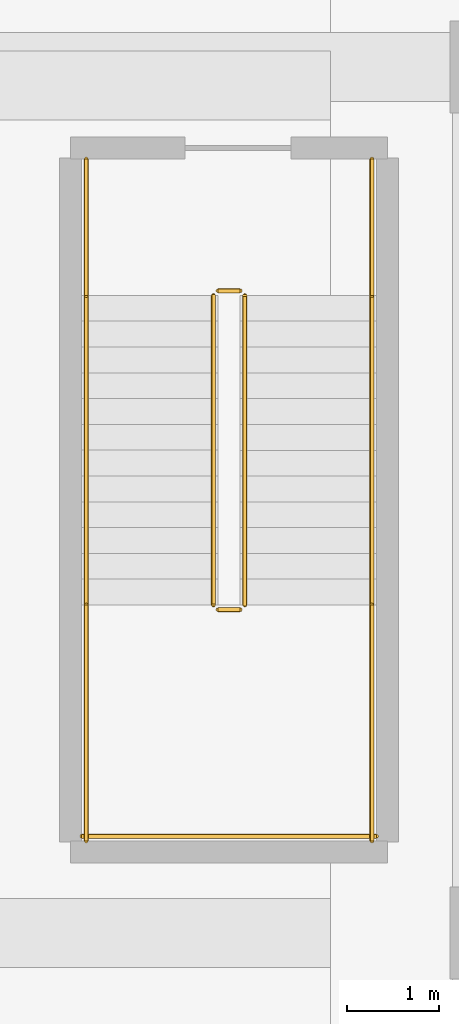
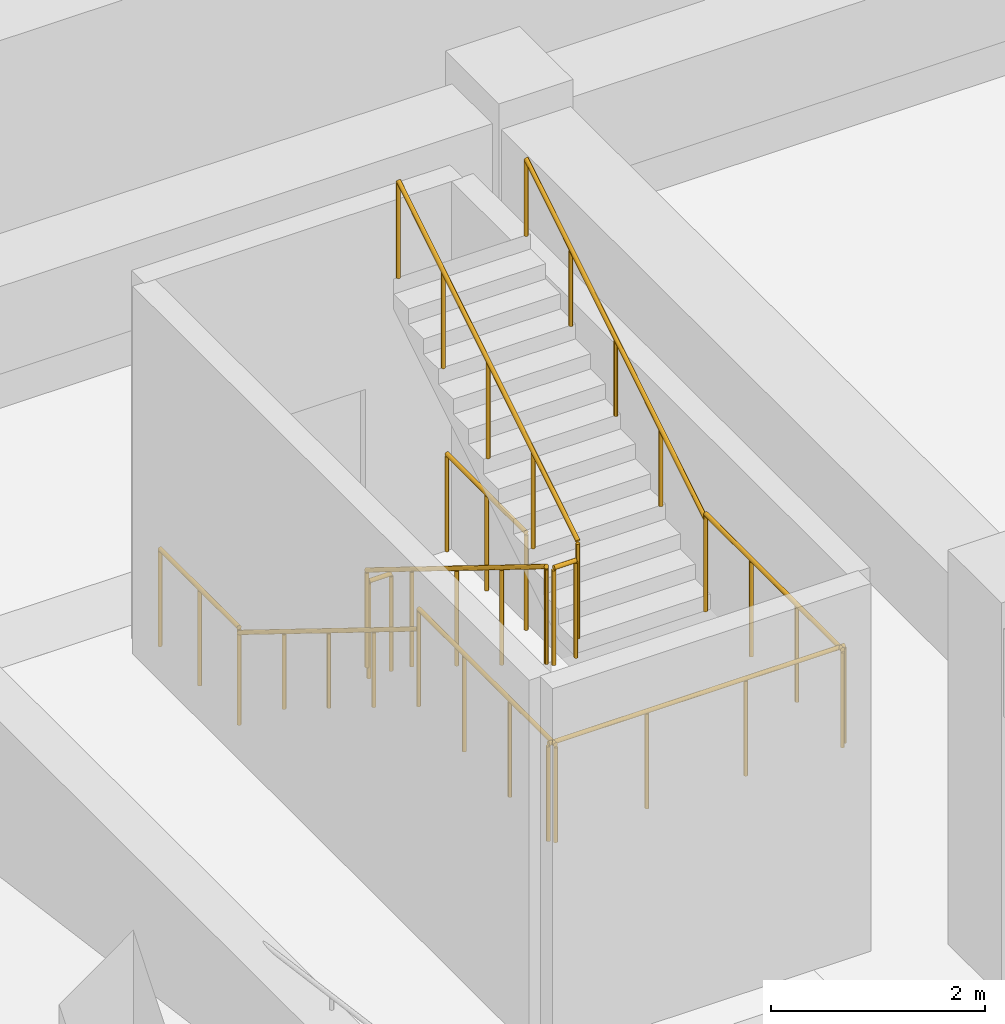
# One storey, part 8 of 10: 11 railings.
"""IFC4 building model written with IfcOpenShell, lengths in metres."""

from ifc_helpers import new_model, si_unit, direction, frame, origin, origin_2d, place, context, subcontext, project, spatial, circle, extrude, material, layer, layer_set, type_object, element, save


model = new_model("IFC4")

# Units and contexts
model_context = context("Model", 3, precision=1e-05, world=origin(), true_north=direction((0.0, 1.0)))
body_context = subcontext(model_context, "Body", "Model", "MODEL_VIEW")
ifc_project = project(units=[si_unit("LENGTHUNIT", "METRE"), si_unit("AREAUNIT", "SQUARE_METRE"), si_unit("VOLUMEUNIT", "CUBIC_METRE"), si_unit("PLANEANGLEUNIT", "RADIAN"), si_unit("MASSUNIT", "GRAM", prefix="KILO")], contexts=[model_context])

# Site, building, storey
site_placement = place(None, origin())
site = spatial("IfcSite", under=ifc_project, at=site_placement, CompositionType="ELEMENT")
building_placement = place(site_placement, origin())
building = spatial("IfcBuilding", under=site, at=building_placement, Name="Ndelora Gate Hotel", CompositionType="ELEMENT")
storey_placement = place(building_placement, frame((0.0, 0.0, -13.5)))
storey = spatial("IfcBuildingStorey", under=building, at=storey_placement, Name="B03", CompositionType="ELEMENT", Elevation=-13.5)

# Railings
ifc_material_1 = material(Name="Painted Galvanized Steel Balustrade", Category="steel")
ifc_layer_1 = layer(ifc_material_1, 0.06005859375)
ifc_layer_set_1 = layer_set([ifc_layer_1], Name="Painted Galvanized Steel Balustrade")
railing_type_1 = type_object("IfcRailingType", Name="RL-STAIR-GD", PredefinedType="GUARDRAIL", material=ifc_layer_set_1)
railing_1_placement = place(storey_placement, frame((-23.77001953125, 16.320068359375, 0.173095703125)))
element("IfcRailing", 1, at=railing_1_placement, inside=storey, type_object=railing_type_1, Name="B03 ST1 stair guard 1", PredefinedType="GUARDRAIL", context=body_context, shape_type="SweptSolid", body=[
    extrude(circle(Radius=0.02392578125, at=origin_2d()), frame((0.0, 0.0, 1.10595703125), z_axis=(0.0, -0.850623216509, 0.525775754039), x_axis=(1.0, 0.0, 0.0)), (0.0, 0.0, 1.0), 3.9501953125),
    extrude(circle(Radius=0.02099609375, at=origin_2d()), origin(), (0.0, 0.0, 1.0), 1.081787109375),
    extrude(circle(Radius=0.02099609375, at=origin_2d()), frame((0.0, -0.840087890625, 0.519287109375)), (0.0, 0.0, 1.0), 1.081787109375),
    extrude(circle(Radius=0.02099609375, at=origin_2d()), frame((0.0, -1.68017578125, 1.03857421875)), (0.0, 0.0, 1.0), 1.081787109375),
    extrude(circle(Radius=0.02099609375, at=origin_2d()), frame((0.0, -2.52001953125, 1.5576171875)), (0.0, 0.0, 1.0), 1.081787109375),
    extrude(circle(Radius=0.02099609375, at=origin_2d()), frame((0.0, -3.360107421875, 2.076904296875)), (0.0, 0.0, 1.0), 1.081787109375),
])
railing_2_placement = place(storey_placement, frame((-23.719970703125, 12.909912109375, 2.25)))
element("IfcRailing", 2, at=railing_2_placement, inside=storey, type_object=railing_type_1, Name="B03 ST1 stair guard 2", PredefinedType="GUARDRAIL", context=body_context, shape_type="SweptSolid", body=[
    extrude(circle(Radius=0.02392578125, at=origin_2d()), frame((0.0, 0.0, 1.10595703125), z_axis=(1.0, 0.0, 0.0), x_axis=(0.0, 1.0, 0.0)), (0.0, 0.0, 1.0), 0.239990234375),
    extrude(circle(Radius=0.02099609375, at=origin_2d()), origin(), (0.0, 0.0, 1.0), 1.081787109375),
    extrude(circle(Radius=0.02099609375, at=origin_2d()), frame((0.239990234375, 0.0, 0.0)), (0.0, 0.0, 1.0), 1.081787109375),
])
for number, where, name in (
    (3, (-25.14990234375, 12.9599609375, 2.25), "B03 ST1 stair guard 3"),
    (4, (-22.050048828125, 12.9599609375, 2.25), "B03 ST1 stair guard 4"),
):
    element("IfcRailing", number, at=place(storey_placement, frame(where)), inside=storey, type_object=railing_type_1, Name=name, PredefinedType="GUARDRAIL", context=body_context, shape_type="SweptSolid", body=[
        extrude(circle(Radius=0.02392578125, at=origin_2d()), frame((0.0, 0.0, 1.10595703125), z_axis=(0.0, -1.0, 0.0), x_axis=(1.0, 0.0, 0.0)), (0.0, 0.0, 1.0), 2.56005859375),
        extrude(circle(Radius=0.02099609375, at=origin_2d()), origin(), (0.0, 0.0, 1.0), 1.081787109375),
        extrude(circle(Radius=0.02099609375, at=origin_2d()), frame((0.0, -0.853271484375, 0.0)), (0.0, 0.0, 1.0), 1.081787109375),
        extrude(circle(Radius=0.02099609375, at=origin_2d()), frame((0.0, -1.706787109375, 0.0)), (0.0, 0.0, 1.0), 1.081787109375),
        extrude(circle(Radius=0.02099609375, at=origin_2d()), frame((0.0, -2.56005859375, 0.0)), (0.0, 0.0, 1.0), 1.081787109375),
    ])
railing_3_placement = place(storey_placement, frame((-25.199951171875, 10.449951171875, 2.25)))
element("IfcRailing", 5, at=railing_3_placement, inside=storey, type_object=railing_type_1, Name="B03 ST1 stair guard 5", PredefinedType="GUARDRAIL", context=body_context, shape_type="SweptSolid", body=[
    extrude(circle(Radius=0.02392578125, at=origin_2d()), frame((0.0, 0.0, 1.10595703125), z_axis=(1.0, 0.0, 0.0), x_axis=(0.0, 1.0, 0.0)), (0.0, 0.0, 1.0), 3.199951171875),
    extrude(circle(Radius=0.02099609375, at=origin_2d()), origin(), (0.0, 0.0, 1.0), 1.081787109375),
    extrude(circle(Radius=0.02099609375, at=origin_2d()), frame((1.066650390625, 0.0, 0.0)), (0.0, 0.0, 1.0), 1.081787109375),
    extrude(circle(Radius=0.02099609375, at=origin_2d()), frame((2.13330078125, 0.0, 0.0)), (0.0, 0.0, 1.0), 1.081787109375),
    extrude(circle(Radius=0.02099609375, at=origin_2d()), frame((3.199951171875, 0.0, 0.0)), (0.0, 0.0, 1.0), 1.081787109375),
])
railing_4_placement = place(storey_placement, frame((-23.429931640625, 12.9599609375, 2.423095703125)))
element("IfcRailing", 6, at=railing_4_placement, inside=storey, type_object=railing_type_1, Name="B03 ST1 stair guard 6", PredefinedType="GUARDRAIL", context=body_context, shape_type="SweptSolid", body=[
    extrude(circle(Radius=0.02392578125, at=origin_2d()), frame((0.0, 0.0, 1.10595703125), z_axis=(0.0, 0.850623216509, 0.525775754039), x_axis=(-1.0, 0.0, 0.0)), (0.0, 0.0, 1.0), 3.9501953125),
    extrude(circle(Radius=0.02099609375, at=origin_2d()), origin(), (0.0, 0.0, 1.0), 1.081787109375),
    extrude(circle(Radius=0.02099609375, at=origin_2d()), frame((0.0, 0.840087890625, 0.519287109375)), (0.0, 0.0, 1.0), 1.081787109375),
    extrude(circle(Radius=0.02099609375, at=origin_2d()), frame((0.0, 1.68017578125, 1.03857421875)), (0.0, 0.0, 1.0), 1.081787109375),
    extrude(circle(Radius=0.02099609375, at=origin_2d()), frame((0.0, 2.52001953125, 1.5576171875)), (0.0, 0.0, 1.0), 1.081787109375),
    extrude(circle(Radius=0.02099609375, at=origin_2d()), frame((0.0, 3.360107421875, 2.076904296875)), (0.0, 0.0, 1.0), 1.081787109375),
])
railing_5_placement = place(storey_placement, frame((-23.719970703125, 16.3701171875, 0.0)))
element("IfcRailing", 7, at=railing_5_placement, inside=storey, type_object=railing_type_1, Name="B03 ST1 stair guard 7", PredefinedType="GUARDRAIL", context=body_context, shape_type="SweptSolid", body=[
    extrude(circle(Radius=0.02392578125, at=origin_2d()), frame((0.0, 0.0, 1.10595703125), z_axis=(1.0, 0.0, 0.0), x_axis=(0.0, 1.0, 0.0)), (0.0, 0.0, 1.0), 0.239990234375),
    extrude(circle(Radius=0.02099609375, at=origin_2d()), origin(), (0.0, 0.0, 1.0), 1.081787109375),
    extrude(circle(Radius=0.02099609375, at=origin_2d()), frame((0.239990234375, 0.0, 0.0)), (0.0, 0.0, 1.0), 1.081787109375),
])
for number, where, name in (
    (8, (-25.14990234375, 17.800048828125, 0.0), "B03 ST1 stair guard 8"),
    (9, (-22.050048828125, 17.800048828125, 0.0), "B03 ST1 stair guard 9"),
):
    element("IfcRailing", number, at=place(storey_placement, frame(where)), inside=storey, type_object=railing_type_1, Name=name, PredefinedType="GUARDRAIL", context=body_context, shape_type="SweptSolid", body=[
        extrude(circle(Radius=0.02392578125, at=origin_2d()), frame((0.0, 0.0, 1.10595703125), z_axis=(0.0, -1.0, 0.0), x_axis=(1.0, 0.0, 0.0)), (0.0, 0.0, 1.0), 1.47998046875),
        extrude(circle(Radius=0.02099609375, at=origin_2d()), origin(), (0.0, 0.0, 1.0), 1.081787109375),
        extrude(circle(Radius=0.02099609375, at=origin_2d()), frame((0.0, -0.739990234375, 0.0)), (0.0, 0.0, 1.0), 1.081787109375),
        extrude(circle(Radius=0.02099609375, at=origin_2d()), frame((0.0, -1.47998046875, 0.0)), (0.0, 0.0, 1.0), 1.081787109375),
    ])
ifc_material_2 = material(Name="Brushed Stainless Steel 316", Category="steel")
ifc_layer_2 = layer(ifc_material_2, 0.050048828125)
ifc_layer_set_2 = layer_set([ifc_layer_2], Name="Brushed Stainless Steel 316")
railing_type_2 = type_object("IfcRailingType", Name="RL-STAIR-HR", PredefinedType="HANDRAIL", material=ifc_layer_set_2)
railing_6_placement = place(storey_placement, frame((-25.14990234375, 16.320068359375, 0.173095703125)))
element("IfcRailing", 10, at=railing_6_placement, inside=storey, type_object=railing_type_2, Name="B03 ST1 stair handrail 1", PredefinedType="HANDRAIL", context=body_context, shape_type="SweptSolid", body=[
    extrude(circle(Radius=0.02392578125, at=origin_2d()), frame((0.0, 0.0, 0.8759765625), z_axis=(0.0, -0.850623216509, 0.525775754039), x_axis=(1.0, 0.0, 0.0)), (0.0, 0.0, 1.0), 3.9501953125),
    extrude(circle(Radius=0.02099609375, at=origin_2d()), origin(), (0.0, 0.0, 1.0), 0.851806640625),
    extrude(circle(Radius=0.02099609375, at=origin_2d()), frame((0.0, -0.840087890625, 0.519287109375)), (0.0, 0.0, 1.0), 0.851806640625),
    extrude(circle(Radius=0.02099609375, at=origin_2d()), frame((0.0, -1.68017578125, 1.03857421875)), (0.0, 0.0, 1.0), 0.851806640625),
    extrude(circle(Radius=0.02099609375, at=origin_2d()), frame((0.0, -2.52001953125, 1.5576171875)), (0.0, 0.0, 1.0), 0.851806640625),
    extrude(circle(Radius=0.02099609375, at=origin_2d()), frame((0.0, -3.360107421875, 2.076904296875)), (0.0, 0.0, 1.0), 0.851806640625),
])
railing_7_placement = place(storey_placement, frame((-22.050048828125, 12.9599609375, 2.423095703125)))
element("IfcRailing", 11, at=railing_7_placement, inside=storey, type_object=railing_type_2, Name="B03 ST1 stair handrail 2", PredefinedType="HANDRAIL", context=body_context, shape_type="SweptSolid", body=[
    extrude(circle(Radius=0.02392578125, at=origin_2d()), frame((0.0, 0.0, 0.8759765625), z_axis=(0.0, 0.850623216509, 0.525775754039), x_axis=(-1.0, 0.0, 0.0)), (0.0, 0.0, 1.0), 3.9501953125),
    extrude(circle(Radius=0.02099609375, at=origin_2d()), origin(), (0.0, 0.0, 1.0), 0.851806640625),
    extrude(circle(Radius=0.02099609375, at=origin_2d()), frame((0.0, 0.840087890625, 0.519287109375)), (0.0, 0.0, 1.0), 0.851806640625),
    extrude(circle(Radius=0.02099609375, at=origin_2d()), frame((0.0, 1.68017578125, 1.03857421875)), (0.0, 0.0, 1.0), 0.851806640625),
    extrude(circle(Radius=0.02099609375, at=origin_2d()), frame((0.0, 2.52001953125, 1.5576171875)), (0.0, 0.0, 1.0), 0.851806640625),
    extrude(circle(Radius=0.02099609375, at=origin_2d()), frame((0.0, 3.360107421875, 2.076904296875)), (0.0, 0.0, 1.0), 0.851806640625),
])

save(model, "model.ifc")
